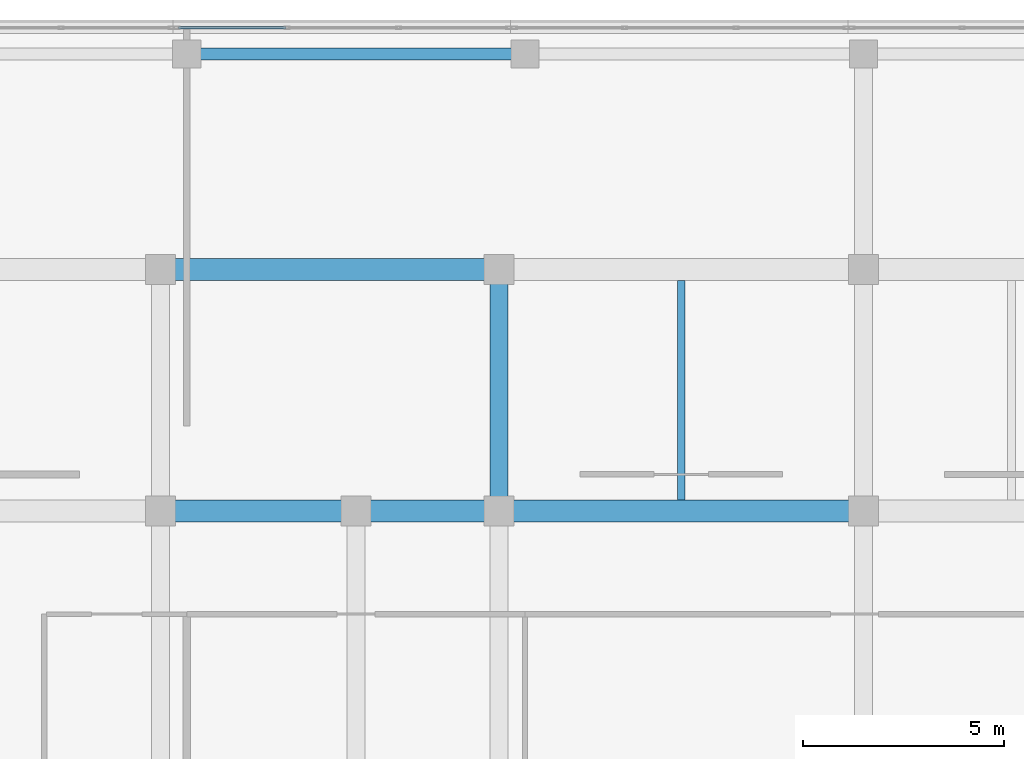
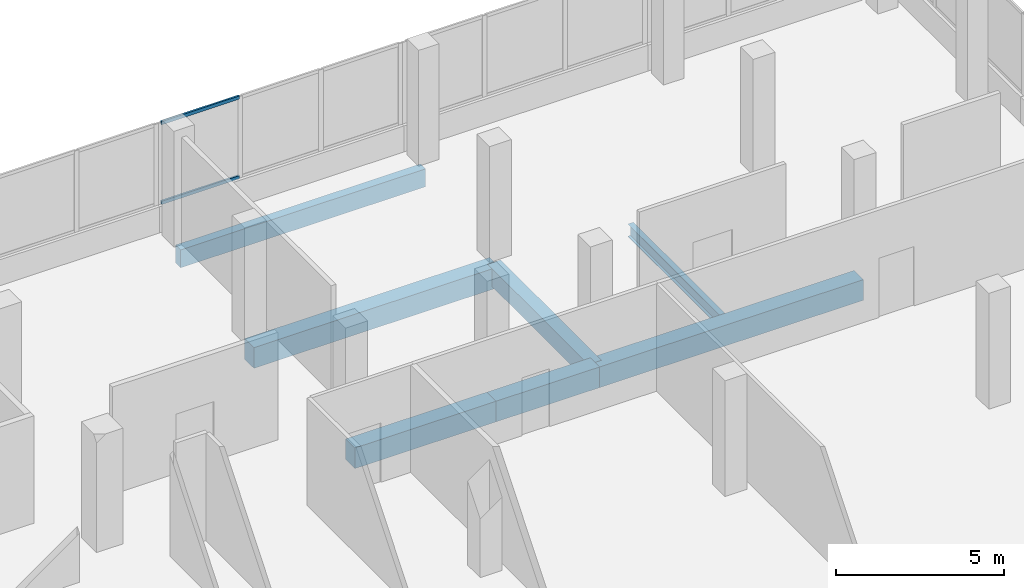
# One storey, part 138 of 184: 7 beams, 2 members, 1 element without a shape of its own.
"""IFC4 building model written with IfcOpenShell, lengths in metres."""

from ifc_helpers import new_model, si_unit, direction, frame, origin, origin_2d, place, context, subcontext, project, spatial, rectangle, hollow_rectangle, i_section, extrude, material, material_profile, profile_set, type_object, element, aggregate, save


model = new_model("IFC4")

# Units and contexts
model_context = context("Model", 3, precision=1e-05, world=origin(), true_north=direction((0.0, 1.0)))
body_context = subcontext(model_context, "Body", "Model", "MODEL_VIEW")
ifc_project = project(units=[si_unit("LENGTHUNIT", "METRE"), si_unit("AREAUNIT", "SQUARE_METRE"), si_unit("VOLUMEUNIT", "CUBIC_METRE"), si_unit("PLANEANGLEUNIT", "RADIAN"), si_unit("MASSUNIT", "GRAM", prefix="KILO")], contexts=[model_context])

# Site, building, storey
site_placement = place(None, origin())
site = spatial("IfcSite", under=ifc_project, at=site_placement, CompositionType="ELEMENT")
building_placement = place(site_placement, origin())
building = spatial("IfcBuilding", under=site, at=building_placement, Name="Selatvlak General Hospital", CompositionType="ELEMENT")
storey_placement = place(building_placement, frame((0.0, 0.0, 15.0)))
storey = spatial("IfcBuildingStorey", under=building, at=storey_placement, Name="L03", CompositionType="ELEMENT", Elevation=15.0)

# Beams
ifc_material_1 = material(Name="Concrete C40/50", Category="concrete")
ifc_material_profile_1 = material_profile(ifc_material_1, rectangle(XDim=0.550048828125, YDim=0.75, at=origin_2d()), Name="RC-BM 550x750")
ifc_profile_set_1 = profile_set([ifc_material_profile_1], Name="Concrete C40/50")
beam_type_1 = type_object("IfcBeamType", Name="BM-G02", PredefinedType="BEAM", material=ifc_profile_set_1)
beam_1_placement = place(storey_placement, frame((156.550048828125, 108.0, -0.715087890625), z_axis=(1.0, 0.0, 0.0), x_axis=(0.0, 1.0, 0.0)))
element("IfcBeam", 1, at=beam_1_placement, inside=storey, type_object=beam_type_1, Name="Beam BMR-L03-1258", PredefinedType="BEAM", context=body_context, shape_type="SweptSolid", body=[
    extrude(rectangle(XDim=0.550048828125, YDim=0.75, at=origin_2d()), origin(), (0.0, 0.0, 1.0), 4.849853515625),
])
beam_2_placement = place(storey_placement, frame((161.39990234375, 108.0, -0.715087890625), z_axis=(1.0, 0.0, 0.0), x_axis=(0.0, 1.0, 0.0)))
element("IfcBeam", 2, at=beam_2_placement, inside=storey, type_object=beam_type_1, Name="Beam BMR-L03-1259", PredefinedType="BEAM", context=body_context, shape_type="SweptSolid", body=[
    extrude(rectangle(XDim=0.550048828125, YDim=0.75, at=origin_2d()), origin(), (0.0, 0.0, 1.0), 3.550048828125),
])
beam_3_placement = place(storey_placement, frame((164.949951171875, 108.0, -0.715087890625), z_axis=(1.0, 0.0, 0.0), x_axis=(0.0, 1.0, 0.0)))
element("IfcBeam", 3, at=beam_3_placement, inside=storey, type_object=beam_type_1, Name="Beam BMR-L03-1260", PredefinedType="BEAM", context=body_context, shape_type="SweptSolid", body=[
    extrude(rectangle(XDim=0.550048828125, YDim=0.75, at=origin_2d()), origin(), (0.0, 0.0, 1.0), 9.050048828125),
])
beam_4_placement = place(storey_placement, frame((156.550048828125, 114.0, -0.715087890625), z_axis=(1.0, 0.0, 0.0), x_axis=(0.0, 1.0, 0.0)))
element("IfcBeam", 4, at=beam_4_placement, inside=storey, type_object=beam_type_1, Name="Beam BMR-L03-1272", PredefinedType="BEAM", context=body_context, shape_type="SweptSolid", body=[
    extrude(rectangle(XDim=0.550048828125, YDim=0.75, at=origin_2d()), origin(), (0.0, 0.0, 1.0), 8.39990234375),
])
ifc_material_profile_2 = material_profile(ifc_material_1, rectangle(XDim=0.449951171875, YDim=0.64990234375, at=origin_2d()), Name="RC-BM 450x650")
ifc_profile_set_2 = profile_set([ifc_material_profile_2], Name="Concrete C40/50")
beam_type_2 = type_object("IfcBeamType", Name="BM-G04", PredefinedType="BEAM", material=ifc_profile_set_2)
beam_5_placement = place(storey_placement, frame((164.949951171875, 108.0, -0.6650390625), z_axis=(0.0, 1.0, 0.0), x_axis=(-1.0, 0.0, 0.0)))
element("IfcBeam", 5, at=beam_5_placement, inside=storey, type_object=beam_type_2, Name="Beam BMR-L03-1408", PredefinedType="BEAM", context=body_context, shape_type="SweptSolid", body=[
    extrude(rectangle(XDim=0.449951171875, YDim=0.64990234375, at=origin_2d()), origin(), (0.0, 0.0, 1.0), 6.0),
])
ifc_material_2 = material(Name="Steel S355", Category="steel")
ifc_material_profile_3 = material_profile(ifc_material_2, i_section(OverallWidth=0.1904296875, OverallDepth=0.45703125, WebThickness=0.009033203125, FlangeThickness=0.014404296875, at=origin_2d()), Name="UB 457x191x74")
ifc_profile_set_3 = profile_set([ifc_material_profile_3], Name="Steel S355")
beam_type_3 = type_object("IfcBeamType", Name="BM-J03", PredefinedType="JOIST", material=ifc_profile_set_3)
beam_6_placement = place(storey_placement, frame((169.47509765625, 108.27490234375, -0.569091796875), z_axis=(0.0, 1.0, 0.0), x_axis=(-1.0, 0.0, 0.0)))
element("IfcBeam", 6, at=beam_6_placement, inside=storey, type_object=beam_type_3, Name="Beam BMR-L03-1444", PredefinedType="JOIST", context=body_context, shape_type="SweptSolid", body=[
    extrude(i_section(OverallWidth=0.1904296875, OverallDepth=0.45703125, WebThickness=0.009033203125, FlangeThickness=0.014404296875, at=origin_2d()), origin(), (0.0, 0.0, 1.0), 5.4501953125),
])
ifc_material_profile_4 = material_profile(ifc_material_1, rectangle(XDim=0.300048828125, YDim=0.64990234375, at=origin_2d()), Name="RC-SP 300x650")
ifc_profile_set_4 = profile_set([ifc_material_profile_4], Name="Concrete C40/50")
beam_type_4 = type_object("IfcBeamType", Name="BM-SP1", PredefinedType="SPANDREL", material=ifc_profile_set_4)
beam_7_placement = place(storey_placement, frame((157.199951171875, 119.35009765625, -0.6650390625), z_axis=(1.0, 0.0, 0.0), x_axis=(0.0, 1.0, 0.0)))
element("IfcBeam", 7, at=beam_7_placement, inside=storey, type_object=beam_type_4, Name="Beam BMR-L03-1288", PredefinedType="SPANDREL", context=body_context, shape_type="SweptSolid", body=[
    extrude(rectangle(XDim=0.300048828125, YDim=0.64990234375, at=origin_2d()), origin(), (0.0, 0.0, 1.0), 8.400146484375),
])

# Curtain wall, members
ifc_material_3 = material(Name="Solar-control Low-E double glazing", Category="glass")
curtain_wall_type = type_object("IfcCurtainWallType", Name="CW-CW-02", PredefinedType="USERDEFINED", material=ifc_material_3)
curtain_wall_placement = place(storey_placement, origin())
curtain_wall = element("IfcCurtainWall", 8, at=curtain_wall_placement, inside=storey, type_object=curtain_wall_type, Name="Glazed facade curtain wall CW-L03-0381", ObjectType="UNITISED CURTAIN WALL", PredefinedType="USERDEFINED")
ifc_material_4 = material(Name="Dark anodised aluminium mullion", Category="aluminium")
ifc_material_profile_5 = material_profile(ifc_material_4, hollow_rectangle(XDim=0.06494140625, YDim=0.1201171875, WallThickness=0.00390625, at=origin_2d()), Name="AL-TRN 65x120x4")
ifc_profile_set_5 = profile_set([ifc_material_profile_5], Name="Dark anodised aluminium mullion")
member_type = type_object("IfcMemberType", Name="CWT-01", PredefinedType="USERDEFINED", material=ifc_profile_set_5)
member_1_placement = place(storey_placement, frame((156.989013671875, 120.0, 0.972412109375), z_axis=(1.0, 0.0, 0.0), x_axis=(0.0, 1.0, 0.0)))
member_1 = element("IfcMember", 9, at=member_1_placement, type_object=member_type, Name="CW-02 transom 1.1", ObjectType="TRANSOM", PredefinedType="USERDEFINED", context=body_context, shape_type="SweptSolid", body=[
    extrude(hollow_rectangle(XDim=0.06494140625, YDim=0.1201171875, WallThickness=0.00390625, at=origin_2d()), origin(), (0.0, 0.0, 1.0), 2.669189453125),
])
member_2_placement = place(storey_placement, frame((156.989013671875, 120.0, 3.862548828125), z_axis=(1.0, 0.0, 0.0), x_axis=(0.0, 1.0, 0.0)))
member_2 = element("IfcMember", 10, at=member_2_placement, type_object=member_type, Name="CW-02 transom 1.2", ObjectType="TRANSOM", PredefinedType="USERDEFINED", context=body_context, shape_type="SweptSolid", body=[
    extrude(hollow_rectangle(XDim=0.06494140625, YDim=0.1201171875, WallThickness=0.00390625, at=origin_2d()), origin(), (0.0, 0.0, 1.0), 2.669189453125),
])
aggregate(curtain_wall, [member_1, member_2])

save(model, "model.ifc")
